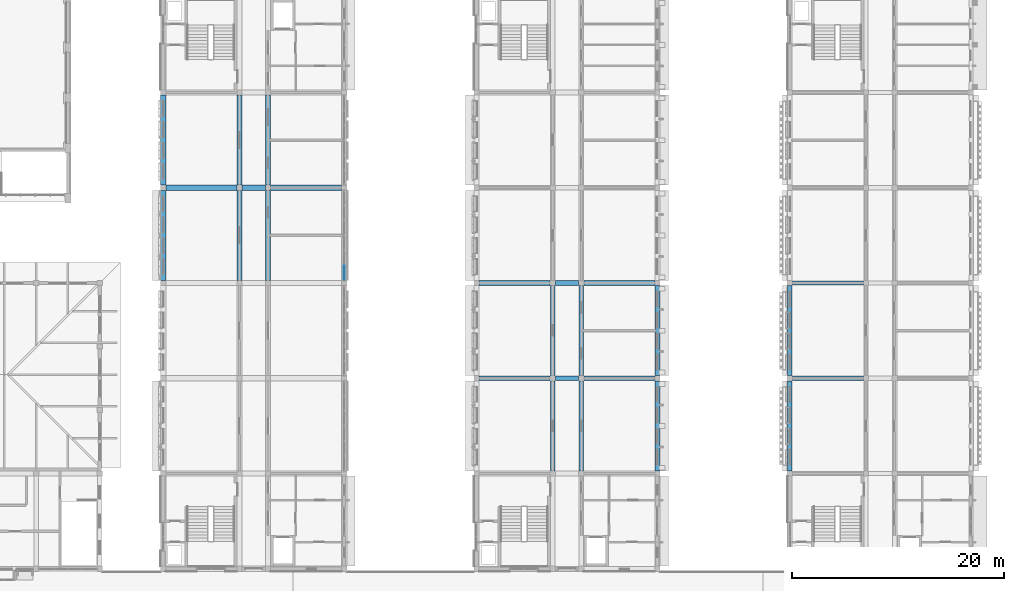
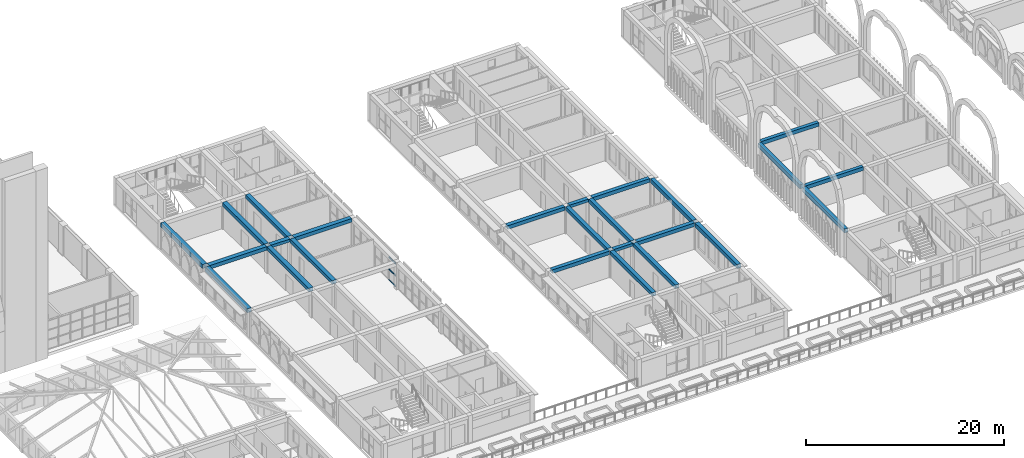
# One storey, part 19 of 82: 25 beams, 3 members, 1 element without a shape of its own.
"""IFC4 building model written with IfcOpenShell, lengths in metres."""

from ifc_helpers import new_model, si_unit, direction, frame, origin, origin_2d, place, context, subcontext, project, spatial, rectangle, extrude, material, layer, layer_set, material_profile, profile_set, type_object, element, aggregate, save


model = new_model("IFC4")

# Units and contexts
model_context = context("Model", 3, precision=1e-05, world=origin(), true_north=direction((0.0, 1.0)))
body_context = subcontext(model_context, "Body", "Model", "MODEL_VIEW")
ifc_project = project(units=[si_unit("LENGTHUNIT", "METRE"), si_unit("AREAUNIT", "SQUARE_METRE"), si_unit("VOLUMEUNIT", "CUBIC_METRE"), si_unit("PLANEANGLEUNIT", "RADIAN"), si_unit("MASSUNIT", "GRAM", prefix="KILO")], contexts=[model_context])

# Site, building, storey
site_placement = place(None, origin())
site = spatial("IfcSite", under=ifc_project, at=site_placement, CompositionType="ELEMENT")
building_placement = place(site_placement, origin())
building = spatial("IfcBuilding", under=site, at=building_placement, Name="Elbe Cascade School", CompositionType="ELEMENT")
storey_placement = place(building_placement, frame((0.0, 0.0, 4.5)))
storey = spatial("IfcBuildingStorey", under=building, at=storey_placement, Name="L01", CompositionType="ELEMENT", Elevation=4.5)

# Curtain wall, members
ifc_material_1 = material(Name="Aluminium frame with double glazing, bronze anodised", Category="aluminium")
ifc_layer = layer(ifc_material_1, 0.179931640625)
ifc_layer_set = layer_set([ifc_layer], Name="Aluminium frame with double glazing, bronze anodised")
curtain_wall_type = type_object("IfcCurtainWallType", Name="Bars envelope Curtain wall, aluminium, bronze anodised, wide run", PredefinedType="NOTDEFINED", material=ifc_layer_set)
curtain_wall_placement = place(storey_placement, origin())
curtain_wall = element("IfcCurtainWall", 1, at=curtain_wall_placement, inside=storey, type_object=curtain_wall_type, Name="Curtain wall CW5 A.L01.e4", PredefinedType="NOTDEFINED")
ifc_material_2 = material(Name="Aluminium transom, bronze anodised", Category="aluminium")
ifc_material_profile_1 = material_profile(ifc_material_2, rectangle(XDim=0.06005859375, YDim=0.14990234375, at=origin_2d()), Name="Bars envelope Curtain wall transom 60 x 150, aluminium, wide run")
ifc_profile_set_1 = profile_set([ifc_material_profile_1], Name="Aluminium transom, bronze anodised")
member_type = type_object("IfcMemberType", Name="Bars envelope Curtain wall transom 60 x 150, aluminium, wide run", PredefinedType="USERDEFINED", material=ifc_profile_set_1)
member_1_placement = place(storey_placement, frame((86.10009765625, 34.63671875, 0.030029296875), z_axis=(0.0, -1.0, 0.0), x_axis=(1.0, 0.0, 0.0)))
member_1 = element("IfcMember", 2, at=member_1_placement, type_object=member_type, Name="CW5 transom 6.1", ObjectType="TRANSOM", PredefinedType="USERDEFINED", context=body_context, shape_type="SweptSolid", body=[
    extrude(rectangle(XDim=0.06005859375, YDim=0.14990234375, at=origin_2d()), origin(), (0.0, 0.0, 1.0), 1.32666015625),
])
member_2_placement = place(storey_placement, frame((86.10009765625, 34.63671875, 1.35009765625), z_axis=(0.0, -1.0, 0.0), x_axis=(1.0, 0.0, 0.0)))
member_2 = element("IfcMember", 3, at=member_2_placement, type_object=member_type, Name="CW5 transom 6.2", ObjectType="TRANSOM", PredefinedType="USERDEFINED", context=body_context, shape_type="SweptSolid", body=[
    extrude(rectangle(XDim=0.06005859375, YDim=0.14990234375, at=origin_2d()), origin(), (0.0, 0.0, 1.0), 1.32666015625),
])
member_3_placement = place(storey_placement, frame((86.10009765625, 34.63671875, 2.820068359375), z_axis=(0.0, -1.0, 0.0), x_axis=(1.0, 0.0, 0.0)))
member_3 = element("IfcMember", 4, at=member_3_placement, type_object=member_type, Name="CW5 transom 6.3", ObjectType="TRANSOM", PredefinedType="USERDEFINED", context=body_context, shape_type="SweptSolid", body=[
    extrude(rectangle(XDim=0.06005859375, YDim=0.14990234375, at=origin_2d()), origin(), (0.0, 0.0, 1.0), 1.32666015625),
])
aggregate(curtain_wall, [member_1, member_2, member_3])

# Beams
ifc_material_3 = material(Name="Concrete C30/37", Category="concrete")
ifc_material_profile_2 = material_profile(ifc_material_3, rectangle(XDim=0.39990234375, YDim=0.449951171875, at=origin_2d()), Name="RC 400x450")
ifc_profile_set_2 = profile_set([ifc_material_profile_2], Name="Concrete C30/37")
beam_type_1 = type_object("IfcBeamType", Name="RC 400x450 beam", PredefinedType="BEAM", material=ifc_profile_set_2)
for number, where, z_axis, x_axis, name in (
    (5, (128.449951171875, 24.0, 3.125), (1.0, 0.0, 0.0), (0.0, 1.0, 0.0), "RC 400x450 beam B2"),
    (6, (128.449951171875, 33.0, 3.125), (1.0, 0.0, 0.0), (0.0, 1.0, 0.0), "RC 400x450 beam B2"),
):
    element("IfcBeam", number, at=place(storey_placement, frame(where, z_axis=z_axis, x_axis=x_axis)), inside=storey, type_object=beam_type_1, Name=name, PredefinedType="BEAM", context=body_context, shape_type="SweptSolid", body=[
        extrude(rectangle(XDim=0.39990234375, YDim=0.449951171875, at=origin_2d()), origin(), (0.0, 0.0, 1.0), 6.699951171875),
    ])
ifc_material_4 = material(Name="Concrete C30/37", Category="concrete")
ifc_material_profile_3 = material_profile(ifc_material_4, rectangle(XDim=0.39990234375, YDim=0.5, at=origin_2d()), Name="RC 400x500")
ifc_profile_set_3 = profile_set([ifc_material_profile_3], Name="Concrete C30/37")
beam_type_2 = type_object("IfcBeamType", Name="RC 400x500 beam", PredefinedType="BEAM", material=ifc_profile_set_3)
for number, where, z_axis, x_axis, name in (
    (7, (128.199951171875, 15.25, 3.10009765625), (0.0, 1.0, 0.0), (-1.0, 0.0, 0.0), "RC 400x500 beam B1"),
    (8, (128.199951171875, 24.25, 3.10009765625), (0.0, 1.0, 0.0), (-1.0, 0.0, 0.0), "RC 400x500 beam B1"),
):
    element("IfcBeam", number, at=place(storey_placement, frame(where, z_axis=z_axis, x_axis=x_axis)), inside=storey, type_object=beam_type_2, Name=name, PredefinedType="BEAM", context=body_context, shape_type="SweptSolid", body=[
        extrude(rectangle(XDim=0.39990234375, YDim=0.5, at=origin_2d()), origin(), (0.0, 0.0, 1.0), 8.5),
    ])
ifc_material_5 = material(Name="Concrete C30/37", Category="concrete")
ifc_material_profile_4 = material_profile(ifc_material_5, rectangle(XDim=0.449951171875, YDim=0.35009765625, at=origin_2d()), Name="RC 450x350")
ifc_profile_set_4 = profile_set([ifc_material_profile_4], Name="Concrete C30/37")
beam_type_3 = type_object("IfcBeamType", Name="RC 450x350 beam", PredefinedType="BEAM", material=ifc_profile_set_4)
for number, where, z_axis, x_axis, name in (
    (9, (106.050048828125, 24.0, 3.175048828125), (1.0, 0.0, 0.0), (0.0, 1.0, 0.0), "RC 450x350 beam B11"),
    (10, (106.050048828125, 33.0, 3.175048828125), (1.0, 0.0, 0.0), (0.0, 1.0, 0.0), "RC 450x350 beam B11"),
):
    element("IfcBeam", number, at=place(storey_placement, frame(where, z_axis=z_axis, x_axis=x_axis)), inside=storey, type_object=beam_type_3, Name=name, PredefinedType="BEAM", context=body_context, shape_type="SweptSolid", body=[
        extrude(rectangle(XDim=0.449951171875, YDim=0.35009765625, at=origin_2d()), origin(), (0.0, 0.0, 1.0), 2.199951171875),
    ])
ifc_material_6 = material(Name="Concrete C30/37", Category="concrete")
ifc_material_profile_5 = material_profile(ifc_material_6, rectangle(XDim=0.449951171875, YDim=0.449951171875, at=origin_2d()), Name="RC 450x450")
ifc_profile_set_5 = profile_set([ifc_material_profile_5], Name="Concrete C30/37")
beam_type_4 = type_object("IfcBeamType", Name="RC 450x450 beam", PredefinedType="BEAM", material=ifc_profile_set_5)
for number, where, z_axis, x_axis, name in (
    (11, (105.800048828125, 15.25, 3.125), (0.0, 1.0, 0.0), (-1.0, 0.0, 0.0), "RC 450x450 beam B10"),
    (12, (105.800048828125, 24.25, 3.125), (0.0, 1.0, 0.0), (-1.0, 0.0, 0.0), "RC 450x450 beam B10"),
    (13, (108.5, 15.25, 3.125), (0.0, 1.0, 0.0), (-1.0, 0.0, 0.0), "RC 450x450 beam B10"),
    (14, (108.5, 24.25, 3.125), (0.0, 1.0, 0.0), (-1.0, 0.0, 0.0), "RC 450x450 beam B10"),
):
    element("IfcBeam", number, at=place(storey_placement, frame(where, z_axis=z_axis, x_axis=x_axis)), inside=storey, type_object=beam_type_4, Name=name, PredefinedType="BEAM", context=body_context, shape_type="SweptSolid", body=[
        extrude(rectangle(XDim=0.449951171875, YDim=0.449951171875, at=origin_2d()), origin(), (0.0, 0.0, 1.0), 8.5),
    ])
for number, where, z_axis, x_axis, name in (
    (15, (98.85009765625, 24.0, 3.125), (1.0, 0.0, 0.0), (0.0, 1.0, 0.0), "RC 450x450 beam B10"),
    (16, (108.75, 24.0, 3.125), (1.0, 0.0, 0.0), (0.0, 1.0, 0.0), "RC 450x450 beam B10"),
    (17, (98.85009765625, 33.0, 3.125), (1.0, 0.0, 0.0), (0.0, 1.0, 0.0), "RC 450x450 beam B10"),
    (18, (108.75, 33.0, 3.125), (1.0, 0.0, 0.0), (0.0, 1.0, 0.0), "RC 450x450 beam B10"),
):
    element("IfcBeam", number, at=place(storey_placement, frame(where, z_axis=z_axis, x_axis=x_axis)), inside=storey, type_object=beam_type_4, Name=name, PredefinedType="BEAM", context=body_context, shape_type="SweptSolid", body=[
        extrude(rectangle(XDim=0.449951171875, YDim=0.449951171875, at=origin_2d()), origin(), (0.0, 0.0, 1.0), 6.699951171875),
    ])
ifc_material_7 = material(Name="Concrete C30/37", Category="concrete")
ifc_material_profile_6 = material_profile(ifc_material_7, rectangle(XDim=0.449951171875, YDim=0.5, at=origin_2d()), Name="RC 450x500")
ifc_profile_set_6 = profile_set([ifc_material_profile_6], Name="Concrete C30/37")
beam_type_5 = type_object("IfcBeamType", Name="RC 450x500 beam", PredefinedType="BEAM", material=ifc_profile_set_6)
for number, where, z_axis, x_axis, name in (
    (19, (115.699951171875, 15.25, 3.10009765625), (0.0, 1.0, 0.0), (-1.0, 0.0, 0.0), "RC 450x500 beam B9"),
    (20, (115.699951171875, 24.25, 3.10009765625), (0.0, 1.0, 0.0), (-1.0, 0.0, 0.0), "RC 450x500 beam B9"),
):
    element("IfcBeam", number, at=place(storey_placement, frame(where, z_axis=z_axis, x_axis=x_axis)), inside=storey, type_object=beam_type_5, Name=name, PredefinedType="BEAM", context=body_context, shape_type="SweptSolid", body=[
        extrude(rectangle(XDim=0.449951171875, YDim=0.5, at=origin_2d()), origin(), (0.0, 0.0, 1.0), 8.5),
    ])
ifc_material_8 = material(Name="Concrete C30/37", Category="concrete")
ifc_material_profile_7 = material_profile(ifc_material_8, rectangle(XDim=0.5, YDim=0.35009765625, at=origin_2d()), Name="RC 500x350")
ifc_profile_set_7 = profile_set([ifc_material_profile_7], Name="Concrete C30/37")
beam_type_6 = type_object("IfcBeamType", Name="RC 500x350 beam", PredefinedType="BEAM", material=ifc_profile_set_7)
beam_1_placement = place(storey_placement, frame((76.449951171875, 42.0, 3.175048828125), z_axis=(1.0, 0.0, 0.0), x_axis=(0.0, 1.0, 0.0)))
element("IfcBeam", 21, at=beam_1_placement, inside=storey, type_object=beam_type_6, Name="RC 500x350 beam B8", PredefinedType="BEAM", context=body_context, shape_type="SweptSolid", body=[
    extrude(rectangle(XDim=0.5, YDim=0.35009765625, at=origin_2d()), origin(), (0.0, 0.0, 1.0), 2.199951171875),
])
ifc_material_9 = material(Name="Concrete C30/37", Category="concrete")
ifc_material_profile_8 = material_profile(ifc_material_9, rectangle(XDim=0.5, YDim=0.449951171875, at=origin_2d()), Name="RC 500x450")
ifc_profile_set_8 = profile_set([ifc_material_profile_8], Name="Concrete C30/37")
beam_type_7 = type_object("IfcBeamType", Name="RC 500x450 beam", PredefinedType="BEAM", material=ifc_profile_set_8)
for number, where, z_axis, x_axis, name in (
    (22, (76.199951171875, 33.25, 3.125), (0.0, 1.0, 0.0), (-1.0, 0.0, 0.0), "RC 500x450 beam B7"),
    (23, (76.199951171875, 42.25, 3.125), (0.0, 1.0, 0.0), (-1.0, 0.0, 0.0), "RC 500x450 beam B7"),
    (24, (78.89990234375, 33.25, 3.125), (0.0, 1.0, 0.0), (-1.0, 0.0, 0.0), "RC 500x450 beam B7"),
    (25, (78.89990234375, 42.25, 3.125), (0.0, 1.0, 0.0), (-1.0, 0.0, 0.0), "RC 500x450 beam B7"),
):
    element("IfcBeam", number, at=place(storey_placement, frame(where, z_axis=z_axis, x_axis=x_axis)), inside=storey, type_object=beam_type_7, Name=name, PredefinedType="BEAM", context=body_context, shape_type="SweptSolid", body=[
        extrude(rectangle(XDim=0.5, YDim=0.449951171875, at=origin_2d()), origin(), (0.0, 0.0, 1.0), 8.5),
    ])
beam_2_placement = place(storey_placement, frame((69.25, 42.0, 3.125), z_axis=(1.0, 0.0, 0.0), x_axis=(0.0, 1.0, 0.0)))
element("IfcBeam", 26, at=beam_2_placement, inside=storey, type_object=beam_type_7, Name="RC 500x450 beam B7", PredefinedType="BEAM", context=body_context, shape_type="SweptSolid", body=[
    extrude(rectangle(XDim=0.5, YDim=0.449951171875, at=origin_2d()), origin(), (0.0, 0.0, 1.0), 6.699951171875),
])
beam_3_placement = place(storey_placement, frame((79.14990234375, 42.0, 3.125), z_axis=(1.0, 0.0, 0.0), x_axis=(0.0, 1.0, 0.0)))
element("IfcBeam", 27, at=beam_3_placement, inside=storey, type_object=beam_type_7, Name="RC 500x450 beam B7", PredefinedType="BEAM", context=body_context, shape_type="SweptSolid", body=[
    extrude(rectangle(XDim=0.5, YDim=0.449951171875, at=origin_2d()), origin(), (0.0, 0.0, 1.0), 6.7001953125),
])
ifc_material_10 = material(Name="Concrete C30/37", Category="concrete")
ifc_material_profile_9 = material_profile(ifc_material_10, rectangle(XDim=0.5, YDim=0.5, at=origin_2d()), Name="RC 500x500")
ifc_profile_set_9 = profile_set([ifc_material_profile_9], Name="Concrete C30/37")
beam_type_8 = type_object("IfcBeamType", Name="RC 500x500 beam", PredefinedType="BEAM", material=ifc_profile_set_9)
for number, where, z_axis, x_axis, name in (
    (28, (69.0, 33.25, 3.10009765625), (0.0, 1.0, 0.0), (-1.0, 0.0, 0.0), "RC 500x500 beam B6"),
    (29, (69.0, 42.25, 3.10009765625), (0.0, 1.0, 0.0), (-1.0, 0.0, 0.0), "RC 500x500 beam B6"),
):
    element("IfcBeam", number, at=place(storey_placement, frame(where, z_axis=z_axis, x_axis=x_axis)), inside=storey, type_object=beam_type_8, Name=name, PredefinedType="BEAM", context=body_context, shape_type="SweptSolid", body=[
        extrude(rectangle(XDim=0.5, YDim=0.5, at=origin_2d()), origin(), (0.0, 0.0, 1.0), 8.5),
    ])

save(model, "model.ifc")
